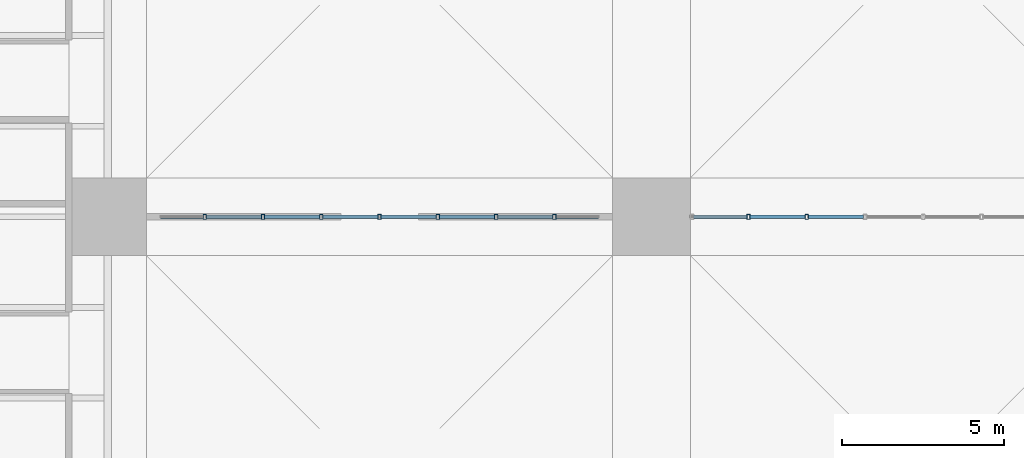
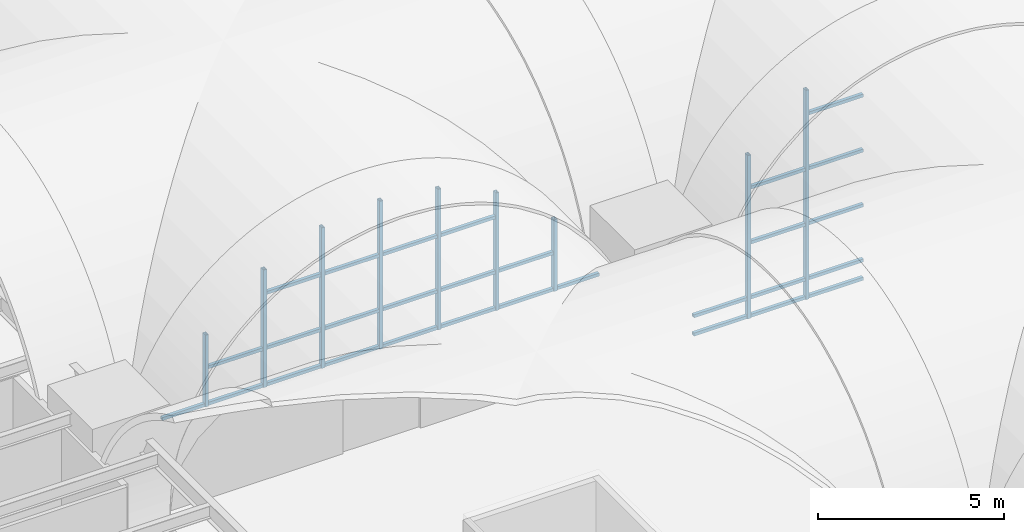
# One storey, part 24 of 169: 38 members, 2 elements without a shape of their own.
"""IFC4 building model written with IfcOpenShell, lengths in metres."""

from ifc_helpers import new_model, si_unit, direction, frame, origin, origin_2d, place, context, subcontext, project, spatial, hollow_rectangle, extrude, material, layer, layer_set, material_profile, profile_set, type_object, element, aggregate, save


model = new_model("IFC4")

# Units and contexts
model_context = context("Model", 3, precision=1e-05, world=origin(), true_north=direction((0.0, 1.0)))
body_context = subcontext(model_context, "Body", "Model", "MODEL_VIEW")
ifc_project = project(units=[si_unit("LENGTHUNIT", "METRE"), si_unit("AREAUNIT", "SQUARE_METRE"), si_unit("VOLUMEUNIT", "CUBIC_METRE"), si_unit("PLANEANGLEUNIT", "RADIAN"), si_unit("MASSUNIT", "GRAM", prefix="KILO")], contexts=[model_context])

# Site, building, storey
site_placement = place(None, origin())
site = spatial("IfcSite", under=ifc_project, at=site_placement, CompositionType="ELEMENT")
building_placement = place(site_placement, origin())
building = spatial("IfcBuilding", under=site, at=building_placement, Name="Verrick Yard Athletic Hall", CompositionType="ELEMENT")
storey_placement = place(building_placement, frame((0.0, 0.0, 4.39990234375)))
storey = spatial("IfcBuildingStorey", under=building, at=storey_placement, Name="L01", CompositionType="ELEMENT", Elevation=4.39990234375)

# Curtain wall, members
ifc_material_1 = material(Name="Aluminium and glass curtain wall", Category="aluminium")
ifc_layer_1 = layer(ifc_material_1, 0.14990234375)
ifc_layer_set_1 = layer_set([ifc_layer_1], Name="Concourse door screen arch")
curtain_wall_type_1 = type_object("IfcCurtainWallType", Name="Concourse door screen arch", PredefinedType="NOTDEFINED", material=ifc_layer_set_1)
curtain_wall_1_placement = place(storey_placement, origin())
curtain_wall_1 = element("IfcCurtainWall", 1, at=curtain_wall_1_placement, inside=storey, type_object=curtain_wall_type_1, Name="Concourse screen 1", PredefinedType="NOTDEFINED")
ifc_material_2 = material(Name="Structural steel HSS Class C 350W (CSA G40.20/G40.21)", Category="steel")
ifc_material_profile_1 = material_profile(ifc_material_2, hollow_rectangle(XDim=0.1015625, YDim=0.15234375, WallThickness=0.008056640625, at=origin_2d()), Name="HSS152x102x7.9")
ifc_profile_set_1 = profile_set([ifc_material_profile_1], Name="Structural steel HSS Class C 350W (CSA G40.20/G40.21)")
member_type_1 = type_object("IfcMemberType", Name="Curtain wall mullion HSS152x102x7.9", PredefinedType="MULLION", material=ifc_profile_set_1)
member_1_placement = place(storey_placement, frame((43.0, 36.0, 3.0), z_axis=(0.0, 0.0, 1.0), x_axis=(1.0, 0.0, 0.0)))
member_1 = element("IfcMember", 2, at=member_1_placement, type_object=member_type_1, Name="Concourse screen 1 mullion 1", PredefinedType="MULLION", context=body_context, shape_type="SweptSolid", body=[
    extrude(hollow_rectangle(XDim=0.1015625, YDim=0.15234375, WallThickness=0.008056640625, at=origin_2d()), origin(), (0.0, 0.0, 1.0), 2.351806640625),
])
member_2_placement = place(storey_placement, frame((44.800048828125, 36.0, 3.0), z_axis=(0.0, 0.0, 1.0), x_axis=(1.0, 0.0, 0.0)))
member_2 = element("IfcMember", 3, at=member_2_placement, type_object=member_type_1, Name="Concourse screen 1 mullion 2", PredefinedType="MULLION", context=body_context, shape_type="SweptSolid", body=[
    extrude(hollow_rectangle(XDim=0.1015625, YDim=0.15234375, WallThickness=0.008056640625, at=origin_2d()), origin(), (0.0, 0.0, 1.0), 3.8544921875),
])
member_3_placement = place(storey_placement, frame((46.60009765625, 36.0, 3.0), z_axis=(0.0, 0.0, 1.0), x_axis=(1.0, 0.0, 0.0)))
member_3 = element("IfcMember", 4, at=member_3_placement, type_object=member_type_1, Name="Concourse screen 1 mullion 3", PredefinedType="MULLION", context=body_context, shape_type="SweptSolid", body=[
    extrude(hollow_rectangle(XDim=0.1015625, YDim=0.15234375, WallThickness=0.008056640625, at=origin_2d()), origin(), (0.0, 0.0, 1.0), 4.607666015625),
])
member_4_placement = place(storey_placement, frame((48.39990234375, 36.0, 3.0), z_axis=(0.0, 0.0, 1.0), x_axis=(1.0, 0.0, 0.0)))
member_4 = element("IfcMember", 5, at=member_4_placement, type_object=member_type_1, Name="Concourse screen 1 mullion 4", PredefinedType="MULLION", context=body_context, shape_type="SweptSolid", body=[
    extrude(hollow_rectangle(XDim=0.1015625, YDim=0.15234375, WallThickness=0.008056640625, at=origin_2d()), origin(), (0.0, 0.0, 1.0), 4.8486328125),
])
member_5_placement = place(storey_placement, frame((50.199951171875, 36.0, 3.0), z_axis=(0.0, 0.0, 1.0), x_axis=(1.0, 0.0, 0.0)))
member_5 = element("IfcMember", 6, at=member_5_placement, type_object=member_type_1, Name="Concourse screen 1 mullion 5", PredefinedType="MULLION", context=body_context, shape_type="SweptSolid", body=[
    extrude(hollow_rectangle(XDim=0.1015625, YDim=0.15234375, WallThickness=0.008056640625, at=origin_2d()), origin(), (0.0, 0.0, 1.0), 4.607666015625),
])
member_6_placement = place(storey_placement, frame((52.0, 36.0, 3.0), z_axis=(0.0, 0.0, 1.0), x_axis=(1.0, 0.0, 0.0)))
member_6 = element("IfcMember", 7, at=member_6_placement, type_object=member_type_1, Name="Concourse screen 1 mullion 6", PredefinedType="MULLION", context=body_context, shape_type="SweptSolid", body=[
    extrude(hollow_rectangle(XDim=0.1015625, YDim=0.15234375, WallThickness=0.008056640625, at=origin_2d()), origin(), (0.0, 0.0, 1.0), 3.8544921875),
])
member_7_placement = place(storey_placement, frame((53.800048828125, 36.0, 3.0), z_axis=(0.0, 0.0, 1.0), x_axis=(1.0, 0.0, 0.0)))
member_7 = element("IfcMember", 8, at=member_7_placement, type_object=member_type_1, Name="Concourse screen 1 mullion 7", PredefinedType="MULLION", context=body_context, shape_type="SweptSolid", body=[
    extrude(hollow_rectangle(XDim=0.1015625, YDim=0.15234375, WallThickness=0.008056640625, at=origin_2d()), origin(), (0.0, 0.0, 1.0), 2.351806640625),
])

ifc_layer_2 = layer(ifc_material_1, 0.14990234375)
ifc_layer_set_2 = layer_set([ifc_layer_2], Name="Concourse arch screen")
curtain_wall_type_2 = type_object("IfcCurtainWallType", Name="Concourse arch screen", PredefinedType="NOTDEFINED", material=ifc_layer_set_2)
curtain_wall_2_placement = place(storey_placement, origin())
curtain_wall_2 = element("IfcCurtainWall", 9, at=curtain_wall_2_placement, inside=storey, type_object=curtain_wall_type_2, Name="Concourse screen 2", PredefinedType="NOTDEFINED")
member_8_placement = place(storey_placement, frame((59.800048828125, 36.0, 0.0), z_axis=(0.0, 0.0, 1.0), x_axis=(1.0, 0.0, 0.0)))
member_8 = element("IfcMember", 10, at=member_8_placement, type_object=member_type_1, Name="Concourse screen 2 mullion 2", PredefinedType="MULLION", context=body_context, shape_type="SweptSolid", body=[
    extrude(hollow_rectangle(XDim=0.1015625, YDim=0.15234375, WallThickness=0.008056640625, at=origin_2d()), origin(), (0.0, 0.0, 1.0), 5.351806640625),
])
member_9_placement = place(storey_placement, frame((61.60009765625, 36.0, 0.0), z_axis=(0.0, 0.0, 1.0), x_axis=(1.0, 0.0, 0.0)))
member_9 = element("IfcMember", 11, at=member_9_placement, type_object=member_type_1, Name="Concourse screen 2 mullion 3", PredefinedType="MULLION", context=body_context, shape_type="SweptSolid", body=[
    extrude(hollow_rectangle(XDim=0.1015625, YDim=0.15234375, WallThickness=0.008056640625, at=origin_2d()), origin(), (0.0, 0.0, 1.0), 6.8544921875),
])

# Member
ifc_material_profile_2 = material_profile(ifc_material_2, hollow_rectangle(XDim=0.1015625, YDim=0.1015625, WallThickness=0.00634765625, at=origin_2d()), Name="HSS102x102x6.4")
ifc_profile_set_2 = profile_set([ifc_material_profile_2], Name="Structural steel HSS Class C 350W (CSA G40.20/G40.21)")
member_type_2 = type_object("IfcMemberType", Name="Curtain wall transom HSS102x102x6.4", PredefinedType="USERDEFINED", material=ifc_profile_set_2)
member_10_placement = place(storey_placement, frame((41.63232421875, 36.0, 3.05078125), z_axis=(1.0, 0.0, 0.0), x_axis=(0.0, 1.0, 0.0)))
member_10 = element("IfcMember", 12, at=member_10_placement, type_object=member_type_2, Name="Concourse screen 1 transom 1", ObjectType="TRANSOM", PredefinedType="USERDEFINED", context=body_context, shape_type="SweptSolid", body=[
    extrude(hollow_rectangle(XDim=0.1015625, YDim=0.1015625, WallThickness=0.00634765625, at=origin_2d()), origin(), (0.0, 0.0, 1.0), 1.31689453125),
])

member_11_placement = place(storey_placement, frame((43.05078125, 36.0, 3.05078125), z_axis=(1.0, 0.0, 0.0), x_axis=(0.0, 1.0, 0.0)))
member_11 = element("IfcMember", 13, at=member_11_placement, type_object=member_type_2, Name="Concourse screen 1 transom 2", ObjectType="TRANSOM", PredefinedType="USERDEFINED", context=body_context, shape_type="SweptSolid", body=[
    extrude(hollow_rectangle(XDim=0.1015625, YDim=0.1015625, WallThickness=0.00634765625, at=origin_2d()), origin(), (0.0, 0.0, 1.0), 1.698486328125),
])

member_12_placement = place(storey_placement, frame((43.05078125, 36.0, 4.25), z_axis=(1.0, 0.0, 0.0), x_axis=(0.0, 1.0, 0.0)))
member_12 = element("IfcMember", 14, at=member_12_placement, type_object=member_type_2, Name="Concourse screen 1 transom 3", ObjectType="TRANSOM", PredefinedType="USERDEFINED", context=body_context, shape_type="SweptSolid", body=[
    extrude(hollow_rectangle(XDim=0.1015625, YDim=0.1015625, WallThickness=0.00634765625, at=origin_2d()), origin(), (0.0, 0.0, 1.0), 1.698486328125),
])

member_13_placement = place(storey_placement, frame((44.850830078125, 36.0, 3.05078125), z_axis=(1.0, 0.0, 0.0), x_axis=(0.0, 1.0, 0.0)))
member_13 = element("IfcMember", 15, at=member_13_placement, type_object=member_type_2, Name="Concourse screen 1 transom 4", ObjectType="TRANSOM", PredefinedType="USERDEFINED", context=body_context, shape_type="SweptSolid", body=[
    extrude(hollow_rectangle(XDim=0.1015625, YDim=0.1015625, WallThickness=0.00634765625, at=origin_2d()), origin(), (0.0, 0.0, 1.0), 1.698486328125),
])

member_14_placement = place(storey_placement, frame((44.850830078125, 36.0, 4.25), z_axis=(1.0, 0.0, 0.0), x_axis=(0.0, 1.0, 0.0)))
member_14 = element("IfcMember", 16, at=member_14_placement, type_object=member_type_2, Name="Concourse screen 1 transom 5", ObjectType="TRANSOM", PredefinedType="USERDEFINED", context=body_context, shape_type="SweptSolid", body=[
    extrude(hollow_rectangle(XDim=0.1015625, YDim=0.1015625, WallThickness=0.00634765625, at=origin_2d()), origin(), (0.0, 0.0, 1.0), 1.698486328125),
])

member_15_placement = place(storey_placement, frame((44.850830078125, 36.0, 6.050048828125), z_axis=(1.0, 0.0, 0.0), x_axis=(0.0, 1.0, 0.0)))
member_15 = element("IfcMember", 17, at=member_15_placement, type_object=member_type_2, Name="Concourse screen 1 transom 6", ObjectType="TRANSOM", PredefinedType="USERDEFINED", context=body_context, shape_type="SweptSolid", body=[
    extrude(hollow_rectangle(XDim=0.1015625, YDim=0.1015625, WallThickness=0.00634765625, at=origin_2d()), origin(), (0.0, 0.0, 1.0), 1.698486328125),
])

member_16_placement = place(storey_placement, frame((46.65087890625, 36.0, 3.05078125), z_axis=(1.0, 0.0, 0.0), x_axis=(0.0, 1.0, 0.0)))
member_16 = element("IfcMember", 18, at=member_16_placement, type_object=member_type_2, Name="Concourse screen 1 transom 7", ObjectType="TRANSOM", PredefinedType="USERDEFINED", context=body_context, shape_type="SweptSolid", body=[
    extrude(hollow_rectangle(XDim=0.1015625, YDim=0.1015625, WallThickness=0.00634765625, at=origin_2d()), origin(), (0.0, 0.0, 1.0), 1.6982421875),
])

member_17_placement = place(storey_placement, frame((46.65087890625, 36.0, 4.25), z_axis=(1.0, 0.0, 0.0), x_axis=(0.0, 1.0, 0.0)))
member_17 = element("IfcMember", 19, at=member_17_placement, type_object=member_type_2, Name="Concourse screen 1 transom 8", ObjectType="TRANSOM", PredefinedType="USERDEFINED", context=body_context, shape_type="SweptSolid", body=[
    extrude(hollow_rectangle(XDim=0.1015625, YDim=0.1015625, WallThickness=0.00634765625, at=origin_2d()), origin(), (0.0, 0.0, 1.0), 1.6982421875),
])

member_18_placement = place(storey_placement, frame((46.65087890625, 36.0, 6.050048828125), z_axis=(1.0, 0.0, 0.0), x_axis=(0.0, 1.0, 0.0)))
member_18 = element("IfcMember", 20, at=member_18_placement, type_object=member_type_2, Name="Concourse screen 1 transom 9", ObjectType="TRANSOM", PredefinedType="USERDEFINED", context=body_context, shape_type="SweptSolid", body=[
    extrude(hollow_rectangle(XDim=0.1015625, YDim=0.1015625, WallThickness=0.00634765625, at=origin_2d()), origin(), (0.0, 0.0, 1.0), 1.6982421875),
])

member_19_placement = place(storey_placement, frame((48.45068359375, 36.0, 3.05078125), z_axis=(1.0, 0.0, 0.0), x_axis=(0.0, 1.0, 0.0)))
member_19 = element("IfcMember", 21, at=member_19_placement, type_object=member_type_2, Name="Concourse screen 1 transom 10", ObjectType="TRANSOM", PredefinedType="USERDEFINED", context=body_context, shape_type="SweptSolid", body=[
    extrude(hollow_rectangle(XDim=0.1015625, YDim=0.1015625, WallThickness=0.00634765625, at=origin_2d()), origin(), (0.0, 0.0, 1.0), 1.698486328125),
])

member_20_placement = place(storey_placement, frame((48.45068359375, 36.0, 4.25), z_axis=(1.0, 0.0, 0.0), x_axis=(0.0, 1.0, 0.0)))
member_20 = element("IfcMember", 22, at=member_20_placement, type_object=member_type_2, Name="Concourse screen 1 transom 11", ObjectType="TRANSOM", PredefinedType="USERDEFINED", context=body_context, shape_type="SweptSolid", body=[
    extrude(hollow_rectangle(XDim=0.1015625, YDim=0.1015625, WallThickness=0.00634765625, at=origin_2d()), origin(), (0.0, 0.0, 1.0), 1.698486328125),
])

member_21_placement = place(storey_placement, frame((48.45068359375, 36.0, 6.050048828125), z_axis=(1.0, 0.0, 0.0), x_axis=(0.0, 1.0, 0.0)))
member_21 = element("IfcMember", 23, at=member_21_placement, type_object=member_type_2, Name="Concourse screen 1 transom 12", ObjectType="TRANSOM", PredefinedType="USERDEFINED", context=body_context, shape_type="SweptSolid", body=[
    extrude(hollow_rectangle(XDim=0.1015625, YDim=0.1015625, WallThickness=0.00634765625, at=origin_2d()), origin(), (0.0, 0.0, 1.0), 1.698486328125),
])

member_22_placement = place(storey_placement, frame((50.250732421875, 36.0, 3.05078125), z_axis=(1.0, 0.0, 0.0), x_axis=(0.0, 1.0, 0.0)))
member_22 = element("IfcMember", 24, at=member_22_placement, type_object=member_type_2, Name="Concourse screen 1 transom 13", ObjectType="TRANSOM", PredefinedType="USERDEFINED", context=body_context, shape_type="SweptSolid", body=[
    extrude(hollow_rectangle(XDim=0.1015625, YDim=0.1015625, WallThickness=0.00634765625, at=origin_2d()), origin(), (0.0, 0.0, 1.0), 1.698486328125),
])

member_23_placement = place(storey_placement, frame((50.250732421875, 36.0, 4.25), z_axis=(1.0, 0.0, 0.0), x_axis=(0.0, 1.0, 0.0)))
member_23 = element("IfcMember", 25, at=member_23_placement, type_object=member_type_2, Name="Concourse screen 1 transom 14", ObjectType="TRANSOM", PredefinedType="USERDEFINED", context=body_context, shape_type="SweptSolid", body=[
    extrude(hollow_rectangle(XDim=0.1015625, YDim=0.1015625, WallThickness=0.00634765625, at=origin_2d()), origin(), (0.0, 0.0, 1.0), 1.698486328125),
])

member_24_placement = place(storey_placement, frame((50.250732421875, 36.0, 6.050048828125), z_axis=(1.0, 0.0, 0.0), x_axis=(0.0, 1.0, 0.0)))
member_24 = element("IfcMember", 26, at=member_24_placement, type_object=member_type_2, Name="Concourse screen 1 transom 15", ObjectType="TRANSOM", PredefinedType="USERDEFINED", context=body_context, shape_type="SweptSolid", body=[
    extrude(hollow_rectangle(XDim=0.1015625, YDim=0.1015625, WallThickness=0.00634765625, at=origin_2d()), origin(), (0.0, 0.0, 1.0), 1.698486328125),
])

member_25_placement = place(storey_placement, frame((52.05078125, 36.0, 3.05078125), z_axis=(1.0, 0.0, 0.0), x_axis=(0.0, 1.0, 0.0)))
member_25 = element("IfcMember", 27, at=member_25_placement, type_object=member_type_2, Name="Concourse screen 1 transom 16", ObjectType="TRANSOM", PredefinedType="USERDEFINED", context=body_context, shape_type="SweptSolid", body=[
    extrude(hollow_rectangle(XDim=0.1015625, YDim=0.1015625, WallThickness=0.00634765625, at=origin_2d()), origin(), (0.0, 0.0, 1.0), 1.698486328125),
])

member_26_placement = place(storey_placement, frame((52.05078125, 36.0, 4.25), z_axis=(1.0, 0.0, 0.0), x_axis=(0.0, 1.0, 0.0)))
member_26 = element("IfcMember", 28, at=member_26_placement, type_object=member_type_2, Name="Concourse screen 1 transom 17", ObjectType="TRANSOM", PredefinedType="USERDEFINED", context=body_context, shape_type="SweptSolid", body=[
    extrude(hollow_rectangle(XDim=0.1015625, YDim=0.1015625, WallThickness=0.00634765625, at=origin_2d()), origin(), (0.0, 0.0, 1.0), 1.698486328125),
])

member_27_placement = place(storey_placement, frame((53.850830078125, 36.0, 3.05078125), z_axis=(1.0, 0.0, 0.0), x_axis=(0.0, 1.0, 0.0)))
member_27 = element("IfcMember", 29, at=member_27_placement, type_object=member_type_2, Name="Concourse screen 1 transom 18", ObjectType="TRANSOM", PredefinedType="USERDEFINED", context=body_context, shape_type="SweptSolid", body=[
    extrude(hollow_rectangle(XDim=0.1015625, YDim=0.1015625, WallThickness=0.00634765625, at=origin_2d()), origin(), (0.0, 0.0, 1.0), 1.316650390625),
])

aggregate(curtain_wall_1, [member_1, member_2, member_3, member_4, member_5, member_6, member_7, member_10, member_11, member_12, member_13, member_14, member_15, member_16, member_17, member_18, member_19, member_20, member_21, member_22, member_23, member_24, member_25, member_26, member_27])

member_28_placement = place(storey_placement, frame((58.10205078125, 36.0, 0.05078125), z_axis=(1.0, 0.0, 0.0), x_axis=(0.0, 1.0, 0.0)))
member_28 = element("IfcMember", 30, at=member_28_placement, type_object=member_type_2, Name="Concourse screen 2 transom 1", ObjectType="TRANSOM", PredefinedType="USERDEFINED", context=body_context, shape_type="SweptSolid", body=[
    extrude(hollow_rectangle(XDim=0.1015625, YDim=0.1015625, WallThickness=0.00634765625, at=origin_2d()), origin(), (0.0, 0.0, 1.0), 1.647216796875),
])

member_29_placement = place(storey_placement, frame((58.10205078125, 36.0, 0.650146484375), z_axis=(1.0, 0.0, 0.0), x_axis=(0.0, 1.0, 0.0)))
member_29 = element("IfcMember", 31, at=member_29_placement, type_object=member_type_2, Name="Concourse screen 2 transom 2", ObjectType="TRANSOM", PredefinedType="USERDEFINED", context=body_context, shape_type="SweptSolid", body=[
    extrude(hollow_rectangle(XDim=0.1015625, YDim=0.1015625, WallThickness=0.00634765625, at=origin_2d()), origin(), (0.0, 0.0, 1.0), 1.647216796875),
])

member_30_placement = place(storey_placement, frame((59.850830078125, 36.0, 0.05078125), z_axis=(1.0, 0.0, 0.0), x_axis=(0.0, 1.0, 0.0)))
member_30 = element("IfcMember", 32, at=member_30_placement, type_object=member_type_2, Name="Concourse screen 2 transom 3", ObjectType="TRANSOM", PredefinedType="USERDEFINED", context=body_context, shape_type="SweptSolid", body=[
    extrude(hollow_rectangle(XDim=0.1015625, YDim=0.1015625, WallThickness=0.00634765625, at=origin_2d()), origin(), (0.0, 0.0, 1.0), 1.698486328125),
])

member_31_placement = place(storey_placement, frame((59.850830078125, 36.0, 0.650146484375), z_axis=(1.0, 0.0, 0.0), x_axis=(0.0, 1.0, 0.0)))
member_31 = element("IfcMember", 33, at=member_31_placement, type_object=member_type_2, Name="Concourse screen 2 transom 4", ObjectType="TRANSOM", PredefinedType="USERDEFINED", context=body_context, shape_type="SweptSolid", body=[
    extrude(hollow_rectangle(XDim=0.1015625, YDim=0.1015625, WallThickness=0.00634765625, at=origin_2d()), origin(), (0.0, 0.0, 1.0), 1.698486328125),
])

member_32_placement = place(storey_placement, frame((59.850830078125, 36.0, 2.4501953125), z_axis=(1.0, 0.0, 0.0), x_axis=(0.0, 1.0, 0.0)))
member_32 = element("IfcMember", 34, at=member_32_placement, type_object=member_type_2, Name="Concourse screen 2 transom 5", ObjectType="TRANSOM", PredefinedType="USERDEFINED", context=body_context, shape_type="SweptSolid", body=[
    extrude(hollow_rectangle(XDim=0.1015625, YDim=0.1015625, WallThickness=0.00634765625, at=origin_2d()), origin(), (0.0, 0.0, 1.0), 1.698486328125),
])

member_33_placement = place(storey_placement, frame((59.850830078125, 36.0, 4.25), z_axis=(1.0, 0.0, 0.0), x_axis=(0.0, 1.0, 0.0)))
member_33 = element("IfcMember", 35, at=member_33_placement, type_object=member_type_2, Name="Concourse screen 2 transom 6", ObjectType="TRANSOM", PredefinedType="USERDEFINED", context=body_context, shape_type="SweptSolid", body=[
    extrude(hollow_rectangle(XDim=0.1015625, YDim=0.1015625, WallThickness=0.00634765625, at=origin_2d()), origin(), (0.0, 0.0, 1.0), 1.698486328125),
])

member_34_placement = place(storey_placement, frame((61.65087890625, 36.0, 0.05078125), z_axis=(1.0, 0.0, 0.0), x_axis=(0.0, 1.0, 0.0)))
member_34 = element("IfcMember", 36, at=member_34_placement, type_object=member_type_2, Name="Concourse screen 2 transom 7", ObjectType="TRANSOM", PredefinedType="USERDEFINED", context=body_context, shape_type="SweptSolid", body=[
    extrude(hollow_rectangle(XDim=0.1015625, YDim=0.1015625, WallThickness=0.00634765625, at=origin_2d()), origin(), (0.0, 0.0, 1.0), 1.6982421875),
])

member_35_placement = place(storey_placement, frame((61.65087890625, 36.0, 0.650146484375), z_axis=(1.0, 0.0, 0.0), x_axis=(0.0, 1.0, 0.0)))
member_35 = element("IfcMember", 37, at=member_35_placement, type_object=member_type_2, Name="Concourse screen 2 transom 8", ObjectType="TRANSOM", PredefinedType="USERDEFINED", context=body_context, shape_type="SweptSolid", body=[
    extrude(hollow_rectangle(XDim=0.1015625, YDim=0.1015625, WallThickness=0.00634765625, at=origin_2d()), origin(), (0.0, 0.0, 1.0), 1.6982421875),
])

member_36_placement = place(storey_placement, frame((61.65087890625, 36.0, 2.4501953125), z_axis=(1.0, 0.0, 0.0), x_axis=(0.0, 1.0, 0.0)))
member_36 = element("IfcMember", 38, at=member_36_placement, type_object=member_type_2, Name="Concourse screen 2 transom 9", ObjectType="TRANSOM", PredefinedType="USERDEFINED", context=body_context, shape_type="SweptSolid", body=[
    extrude(hollow_rectangle(XDim=0.1015625, YDim=0.1015625, WallThickness=0.00634765625, at=origin_2d()), origin(), (0.0, 0.0, 1.0), 1.6982421875),
])

member_37_placement = place(storey_placement, frame((61.65087890625, 36.0, 4.25), z_axis=(1.0, 0.0, 0.0), x_axis=(0.0, 1.0, 0.0)))
member_37 = element("IfcMember", 39, at=member_37_placement, type_object=member_type_2, Name="Concourse screen 2 transom 10", ObjectType="TRANSOM", PredefinedType="USERDEFINED", context=body_context, shape_type="SweptSolid", body=[
    extrude(hollow_rectangle(XDim=0.1015625, YDim=0.1015625, WallThickness=0.00634765625, at=origin_2d()), origin(), (0.0, 0.0, 1.0), 1.6982421875),
])

member_38_placement = place(storey_placement, frame((61.65087890625, 36.0, 6.050048828125), z_axis=(1.0, 0.0, 0.0), x_axis=(0.0, 1.0, 0.0)))
member_38 = element("IfcMember", 40, at=member_38_placement, type_object=member_type_2, Name="Concourse screen 2 transom 11", ObjectType="TRANSOM", PredefinedType="USERDEFINED", context=body_context, shape_type="SweptSolid", body=[
    extrude(hollow_rectangle(XDim=0.1015625, YDim=0.1015625, WallThickness=0.00634765625, at=origin_2d()), origin(), (0.0, 0.0, 1.0), 1.6982421875),
])

aggregate(curtain_wall_2, [member_8, member_9, member_28, member_29, member_30, member_31, member_32, member_33, member_34, member_35, member_36, member_37, member_38])

save(model, "model.ifc")
